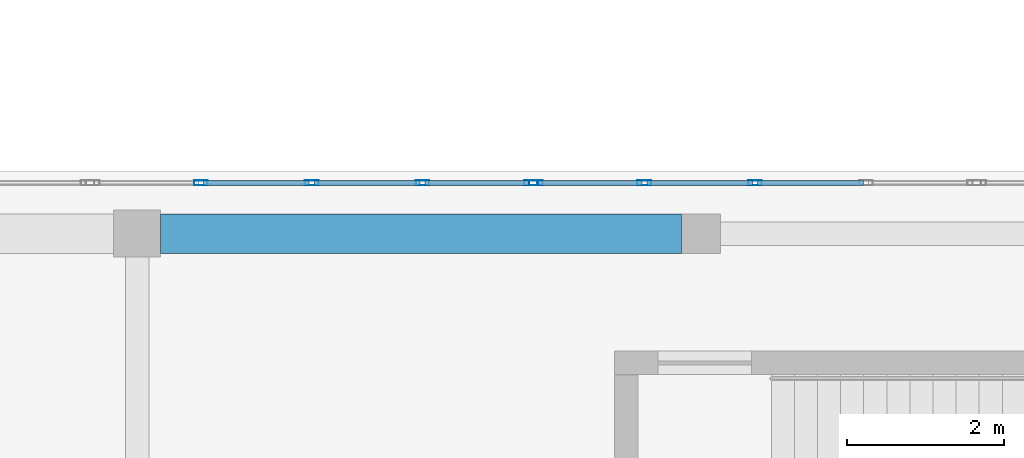
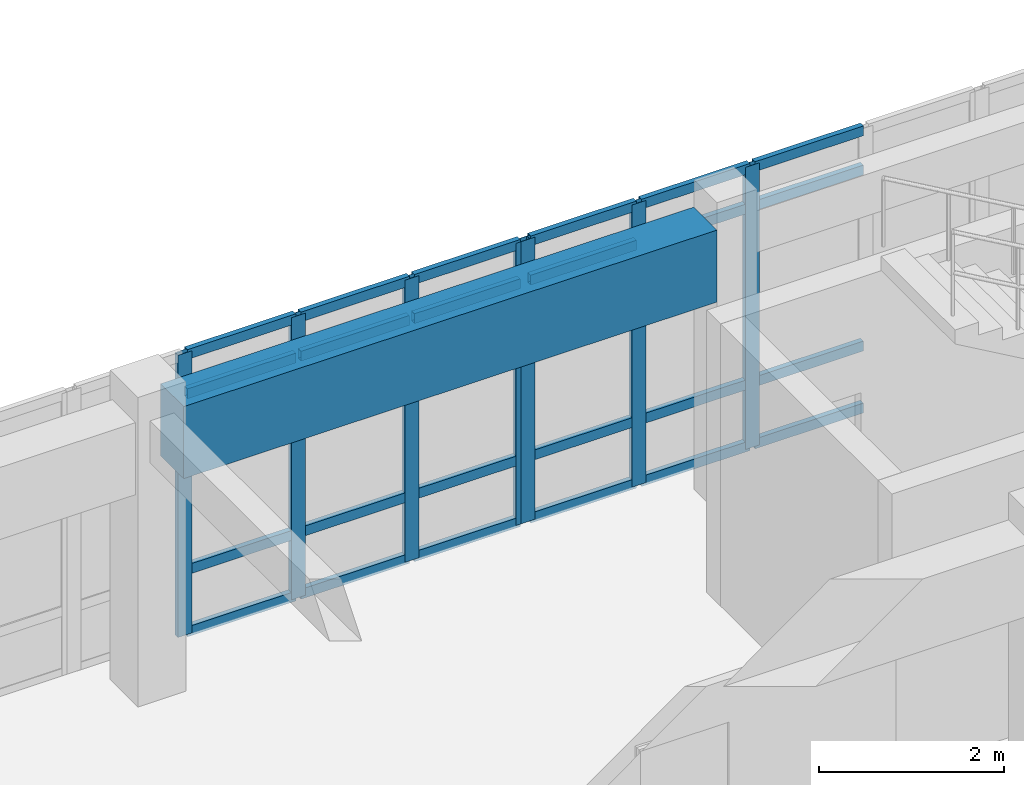
# One storey, part 11 of 52: 31 members, 1 beam, 2 elements without a shape of their own.
"""IFC4 building model written with IfcOpenShell, lengths in metres."""

from ifc_helpers import new_model, si_unit, direction, frame, origin, origin_2d, place, context, subcontext, project, spatial, rectangle, hollow_rectangle, extrude, material, layer, layer_set, material_profile, profile_set, type_object, element, aggregate, save


model = new_model("IFC4")

# Units and contexts
model_context = context("Model", 3, precision=1e-05, world=origin(), true_north=direction((0.0, 1.0)))
body_context = subcontext(model_context, "Body", "Model", "MODEL_VIEW")
ifc_project = project(units=[si_unit("LENGTHUNIT", "METRE"), si_unit("AREAUNIT", "SQUARE_METRE"), si_unit("VOLUMEUNIT", "CUBIC_METRE"), si_unit("PLANEANGLEUNIT", "RADIAN"), si_unit("MASSUNIT", "GRAM", prefix="KILO")], contexts=[model_context])

# Site, building, storey
site_placement = place(None, origin())
site = spatial("IfcSite", under=ifc_project, at=site_placement, CompositionType="ELEMENT")
building_placement = place(site_placement, origin())
building = spatial("IfcBuilding", under=site, at=building_placement, Name="Valcora Specialist Clinic", CompositionType="ELEMENT")
storey_placement = place(building_placement, frame((0.0, 0.0, 17.679931640625)))
storey = spatial("IfcBuildingStorey", under=building, at=storey_placement, Name="L04", CompositionType="ELEMENT", Elevation=17.679931640625)

# Beam
ifc_material_1 = material(Name="Concrete C40/50", Category="concrete")
ifc_material_profile_1 = material_profile(ifc_material_1, rectangle(XDim=0.5, YDim=0.949951171875, at=origin_2d()), Name="RC-BM-500X950")
ifc_profile_set_1 = profile_set([ifc_material_profile_1], Name="Concrete C40/50")
beam_type = type_object("IfcBeamType", Name="TY-BM-TR500X950", PredefinedType="BEAM", material=ifc_profile_set_1)
beam_placement = place(storey_placement, frame((23.699951171875, 22.0, 3.2451171875), z_axis=(1.0, 0.0, 0.0), x_axis=(0.0, 1.0, 0.0)))
element("IfcBeam", 1, at=beam_placement, inside=storey, type_object=beam_type, Name="Beam BM-L04-1092", PredefinedType="BEAM", context=body_context, shape_type="SweptSolid", body=[
    extrude(rectangle(XDim=0.5, YDim=0.949951171875, at=origin_2d()), origin(), (0.0, 0.0, 1.0), 6.650146484375),
])

# Curtain wall, members
ifc_material_2 = material(Name="Anodized Bronze Aluminium 6063-T6", Category="aluminium")
ifc_layer = layer(ifc_material_2, 0.175048828125)
ifc_layer_set = layer_set([ifc_layer], Name="Anodized Bronze Aluminium 6063-T6")
curtain_wall_type = type_object("IfcCurtainWallType", Name="TY-CW-V5F15", PredefinedType="NOTDEFINED", material=ifc_layer_set)
curtain_wall_1_placement = place(storey_placement, origin())
curtain_wall_1 = element("IfcCurtainWall", 2, at=curtain_wall_1_placement, inside=storey, type_object=curtain_wall_type, Name="Curtain wall CW-L04-171", PredefinedType="NOTDEFINED")
ifc_material_profile_2 = material_profile(ifc_material_2, hollow_rectangle(XDim=0.06494140625, YDim=0.175048828125, WallThickness=0.00390625, at=origin_2d()), Name="AL-MUL-65X175")
ifc_profile_set_2 = profile_set([ifc_material_profile_2], Name="Anodized Bronze Aluminium 6063-T6")
member_type_1 = type_object("IfcMemberType", Name="TY-CWM-65X175", PredefinedType="MULLION", material=ifc_profile_set_2)
member_1_placement = place(storey_placement, frame((24.215576171875, 22.64990234375, 0.0), z_axis=(0.0, 0.0, 1.0), x_axis=(0.0, 1.0, 0.0)))
member_1 = element("IfcMember", 3, at=member_1_placement, type_object=member_type_1, Name="CW-V5F-15 mullion 2", PredefinedType="MULLION", context=body_context, shape_type="SweptSolid", body=[
    extrude(hollow_rectangle(XDim=0.06494140625, YDim=0.175048828125, WallThickness=0.00390625, at=origin_2d()), origin(), (0.0, 0.0, 1.0), 3.719970703125),
])
member_2_placement = place(storey_placement, frame((25.63134765625, 22.64990234375, 0.0), z_axis=(0.0, 0.0, 1.0), x_axis=(0.0, 1.0, 0.0)))
member_2 = element("IfcMember", 4, at=member_2_placement, type_object=member_type_1, Name="CW-V5F-15 mullion 3", PredefinedType="MULLION", context=body_context, shape_type="SweptSolid", body=[
    extrude(hollow_rectangle(XDim=0.06494140625, YDim=0.175048828125, WallThickness=0.00390625, at=origin_2d()), origin(), (0.0, 0.0, 1.0), 3.719970703125),
])
member_3_placement = place(storey_placement, frame((27.046875, 22.64990234375, 0.0), z_axis=(0.0, 0.0, 1.0), x_axis=(0.0, 1.0, 0.0)))
member_3 = element("IfcMember", 5, at=member_3_placement, type_object=member_type_1, Name="CW-V5F-15 mullion 4", PredefinedType="MULLION", context=body_context, shape_type="SweptSolid", body=[
    extrude(hollow_rectangle(XDim=0.06494140625, YDim=0.175048828125, WallThickness=0.00390625, at=origin_2d()), origin(), (0.0, 0.0, 1.0), 3.719970703125),
])
member_4_placement = place(storey_placement, frame((28.429931640625, 22.64990234375, 0.0), z_axis=(0.0, 0.0, 1.0), x_axis=(0.0, 1.0, 0.0)))
member_4 = element("IfcMember", 6, at=member_4_placement, type_object=member_type_1, Name="CW-V5F-15 mullion 5", PredefinedType="MULLION", context=body_context, shape_type="SweptSolid", body=[
    extrude(hollow_rectangle(XDim=0.06494140625, YDim=0.175048828125, WallThickness=0.00390625, at=origin_2d()), origin(), (0.0, 0.0, 1.0), 3.719970703125),
])

curtain_wall_2_placement = place(storey_placement, origin())
curtain_wall_2 = element("IfcCurtainWall", 7, at=curtain_wall_2_placement, inside=storey, type_object=curtain_wall_type, Name="Curtain wall CW-L04-172", PredefinedType="NOTDEFINED")
member_5_placement = place(storey_placement, frame((28.4951171875, 22.64990234375, 0.0), z_axis=(0.0, 0.0, 1.0), x_axis=(0.0, 1.0, 0.0)))
member_5 = element("IfcMember", 8, at=member_5_placement, type_object=member_type_1, Name="CW-V5F-15 mullion 1", PredefinedType="MULLION", context=body_context, shape_type="SweptSolid", body=[
    extrude(hollow_rectangle(XDim=0.06494140625, YDim=0.175048828125, WallThickness=0.00390625, at=origin_2d()), origin(), (0.0, 0.0, 1.0), 3.719970703125),
])
member_6_placement = place(storey_placement, frame((29.878173828125, 22.64990234375, 0.0), z_axis=(0.0, 0.0, 1.0), x_axis=(0.0, 1.0, 0.0)))
member_6 = element("IfcMember", 9, at=member_6_placement, type_object=member_type_1, Name="CW-V5F-15 mullion 2", PredefinedType="MULLION", context=body_context, shape_type="SweptSolid", body=[
    extrude(hollow_rectangle(XDim=0.06494140625, YDim=0.175048828125, WallThickness=0.00390625, at=origin_2d()), origin(), (0.0, 0.0, 1.0), 3.719970703125),
])
member_7_placement = place(storey_placement, frame((31.293701171875, 22.64990234375, 0.0), z_axis=(0.0, 0.0, 1.0), x_axis=(0.0, 1.0, 0.0)))
member_7 = element("IfcMember", 10, at=member_7_placement, type_object=member_type_1, Name="CW-V5F-15 mullion 3", PredefinedType="MULLION", context=body_context, shape_type="SweptSolid", body=[
    extrude(hollow_rectangle(XDim=0.06494140625, YDim=0.175048828125, WallThickness=0.00390625, at=origin_2d()), origin(), (0.0, 0.0, 1.0), 3.719970703125),
])

# Member
ifc_material_profile_3 = material_profile(ifc_material_2, hollow_rectangle(XDim=0.06494140625, YDim=0.1298828125, WallThickness=0.00390625, at=origin_2d()), Name="AL-TRN-65X130")
ifc_profile_set_3 = profile_set([ifc_material_profile_3], Name="Anodized Bronze Aluminium 6063-T6")
member_type_2 = type_object("IfcMemberType", Name="TY-CWT-65X130", PredefinedType="USERDEFINED", material=ifc_profile_set_3)
member_8_placement = place(storey_placement, frame((24.248046875, 22.64990234375, 0.032470703125), z_axis=(1.0, 0.0, 0.0), x_axis=(0.0, 1.0, 0.0)))
member_8 = element("IfcMember", 11, at=member_8_placement, type_object=member_type_2, Name="CW-V5F-15 transom 2.1", ObjectType="TRANSOM", PredefinedType="USERDEFINED", context=body_context, shape_type="SweptSolid", body=[
    extrude(hollow_rectangle(XDim=0.06494140625, YDim=0.1298828125, WallThickness=0.00390625, at=origin_2d()), origin(), (0.0, 0.0, 1.0), 1.3505859375),
])

member_9_placement = place(storey_placement, frame((24.248046875, 22.64990234375, 0.85009765625), z_axis=(1.0, 0.0, 0.0), x_axis=(0.0, 1.0, 0.0)))
member_9 = element("IfcMember", 12, at=member_9_placement, type_object=member_type_2, Name="CW-V5F-15 transom 2.2", ObjectType="TRANSOM", PredefinedType="USERDEFINED", context=body_context, shape_type="SweptSolid", body=[
    extrude(hollow_rectangle(XDim=0.06494140625, YDim=0.1298828125, WallThickness=0.00390625, at=origin_2d()), origin(), (0.0, 0.0, 1.0), 1.3505859375),
])

member_10_placement = place(storey_placement, frame((24.248046875, 22.64990234375, 3.170166015625), z_axis=(1.0, 0.0, 0.0), x_axis=(0.0, 1.0, 0.0)))
member_10 = element("IfcMember", 13, at=member_10_placement, type_object=member_type_2, Name="CW-V5F-15 transom 2.3", ObjectType="TRANSOM", PredefinedType="USERDEFINED", context=body_context, shape_type="SweptSolid", body=[
    extrude(hollow_rectangle(XDim=0.06494140625, YDim=0.1298828125, WallThickness=0.00390625, at=origin_2d()), origin(), (0.0, 0.0, 1.0), 1.3505859375),
])

member_11_placement = place(storey_placement, frame((24.248046875, 22.64990234375, 3.6875), z_axis=(1.0, 0.0, 0.0), x_axis=(0.0, 1.0, 0.0)))
member_11 = element("IfcMember", 14, at=member_11_placement, type_object=member_type_2, Name="CW-V5F-15 transom 2.4", ObjectType="TRANSOM", PredefinedType="USERDEFINED", context=body_context, shape_type="SweptSolid", body=[
    extrude(hollow_rectangle(XDim=0.06494140625, YDim=0.1298828125, WallThickness=0.00390625, at=origin_2d()), origin(), (0.0, 0.0, 1.0), 1.3505859375),
])

member_12_placement = place(storey_placement, frame((25.663818359375, 22.64990234375, 0.032470703125), z_axis=(1.0, 0.0, 0.0), x_axis=(0.0, 1.0, 0.0)))
member_12 = element("IfcMember", 15, at=member_12_placement, type_object=member_type_2, Name="CW-V5F-15 transom 3.1", ObjectType="TRANSOM", PredefinedType="USERDEFINED", context=body_context, shape_type="SweptSolid", body=[
    extrude(hollow_rectangle(XDim=0.06494140625, YDim=0.1298828125, WallThickness=0.00390625, at=origin_2d()), origin(), (0.0, 0.0, 1.0), 1.3505859375),
])

member_13_placement = place(storey_placement, frame((25.663818359375, 22.64990234375, 0.85009765625), z_axis=(1.0, 0.0, 0.0), x_axis=(0.0, 1.0, 0.0)))
member_13 = element("IfcMember", 16, at=member_13_placement, type_object=member_type_2, Name="CW-V5F-15 transom 3.2", ObjectType="TRANSOM", PredefinedType="USERDEFINED", context=body_context, shape_type="SweptSolid", body=[
    extrude(hollow_rectangle(XDim=0.06494140625, YDim=0.1298828125, WallThickness=0.00390625, at=origin_2d()), origin(), (0.0, 0.0, 1.0), 1.3505859375),
])

member_14_placement = place(storey_placement, frame((25.663818359375, 22.64990234375, 3.170166015625), z_axis=(1.0, 0.0, 0.0), x_axis=(0.0, 1.0, 0.0)))
member_14 = element("IfcMember", 17, at=member_14_placement, type_object=member_type_2, Name="CW-V5F-15 transom 3.3", ObjectType="TRANSOM", PredefinedType="USERDEFINED", context=body_context, shape_type="SweptSolid", body=[
    extrude(hollow_rectangle(XDim=0.06494140625, YDim=0.1298828125, WallThickness=0.00390625, at=origin_2d()), origin(), (0.0, 0.0, 1.0), 1.3505859375),
])

member_15_placement = place(storey_placement, frame((25.663818359375, 22.64990234375, 3.6875), z_axis=(1.0, 0.0, 0.0), x_axis=(0.0, 1.0, 0.0)))
member_15 = element("IfcMember", 18, at=member_15_placement, type_object=member_type_2, Name="CW-V5F-15 transom 3.4", ObjectType="TRANSOM", PredefinedType="USERDEFINED", context=body_context, shape_type="SweptSolid", body=[
    extrude(hollow_rectangle(XDim=0.06494140625, YDim=0.1298828125, WallThickness=0.00390625, at=origin_2d()), origin(), (0.0, 0.0, 1.0), 1.3505859375),
])

member_16_placement = place(storey_placement, frame((27.079345703125, 22.64990234375, 0.032470703125), z_axis=(1.0, 0.0, 0.0), x_axis=(0.0, 1.0, 0.0)))
member_16 = element("IfcMember", 19, at=member_16_placement, type_object=member_type_2, Name="CW-V5F-15 transom 4.1", ObjectType="TRANSOM", PredefinedType="USERDEFINED", context=body_context, shape_type="SweptSolid", body=[
    extrude(hollow_rectangle(XDim=0.06494140625, YDim=0.1298828125, WallThickness=0.00390625, at=origin_2d()), origin(), (0.0, 0.0, 1.0), 1.318115234375),
])

member_17_placement = place(storey_placement, frame((27.079345703125, 22.64990234375, 0.85009765625), z_axis=(1.0, 0.0, 0.0), x_axis=(0.0, 1.0, 0.0)))
member_17 = element("IfcMember", 20, at=member_17_placement, type_object=member_type_2, Name="CW-V5F-15 transom 4.2", ObjectType="TRANSOM", PredefinedType="USERDEFINED", context=body_context, shape_type="SweptSolid", body=[
    extrude(hollow_rectangle(XDim=0.06494140625, YDim=0.1298828125, WallThickness=0.00390625, at=origin_2d()), origin(), (0.0, 0.0, 1.0), 1.318115234375),
])

member_18_placement = place(storey_placement, frame((27.079345703125, 22.64990234375, 3.170166015625), z_axis=(1.0, 0.0, 0.0), x_axis=(0.0, 1.0, 0.0)))
member_18 = element("IfcMember", 21, at=member_18_placement, type_object=member_type_2, Name="CW-V5F-15 transom 4.3", ObjectType="TRANSOM", PredefinedType="USERDEFINED", context=body_context, shape_type="SweptSolid", body=[
    extrude(hollow_rectangle(XDim=0.06494140625, YDim=0.1298828125, WallThickness=0.00390625, at=origin_2d()), origin(), (0.0, 0.0, 1.0), 1.318115234375),
])

member_19_placement = place(storey_placement, frame((27.079345703125, 22.64990234375, 3.6875), z_axis=(1.0, 0.0, 0.0), x_axis=(0.0, 1.0, 0.0)))
member_19 = element("IfcMember", 22, at=member_19_placement, type_object=member_type_2, Name="CW-V5F-15 transom 4.4", ObjectType="TRANSOM", PredefinedType="USERDEFINED", context=body_context, shape_type="SweptSolid", body=[
    extrude(hollow_rectangle(XDim=0.06494140625, YDim=0.1298828125, WallThickness=0.00390625, at=origin_2d()), origin(), (0.0, 0.0, 1.0), 1.318115234375),
])

aggregate(curtain_wall_1, [member_1, member_2, member_3, member_4, member_8, member_9, member_10, member_11, member_12, member_13, member_14, member_15, member_16, member_17, member_18, member_19])

member_20_placement = place(storey_placement, frame((28.527587890625, 22.64990234375, 0.032470703125), z_axis=(1.0, 0.0, 0.0), x_axis=(0.0, 1.0, 0.0)))
member_20 = element("IfcMember", 23, at=member_20_placement, type_object=member_type_2, Name="CW-V5F-15 transom 1.1", ObjectType="TRANSOM", PredefinedType="USERDEFINED", context=body_context, shape_type="SweptSolid", body=[
    extrude(hollow_rectangle(XDim=0.06494140625, YDim=0.1298828125, WallThickness=0.00390625, at=origin_2d()), origin(), (0.0, 0.0, 1.0), 1.318115234375),
])

member_21_placement = place(storey_placement, frame((28.527587890625, 22.64990234375, 0.85009765625), z_axis=(1.0, 0.0, 0.0), x_axis=(0.0, 1.0, 0.0)))
member_21 = element("IfcMember", 24, at=member_21_placement, type_object=member_type_2, Name="CW-V5F-15 transom 1.2", ObjectType="TRANSOM", PredefinedType="USERDEFINED", context=body_context, shape_type="SweptSolid", body=[
    extrude(hollow_rectangle(XDim=0.06494140625, YDim=0.1298828125, WallThickness=0.00390625, at=origin_2d()), origin(), (0.0, 0.0, 1.0), 1.318115234375),
])

member_22_placement = place(storey_placement, frame((28.527587890625, 22.64990234375, 3.170166015625), z_axis=(1.0, 0.0, 0.0), x_axis=(0.0, 1.0, 0.0)))
member_22 = element("IfcMember", 25, at=member_22_placement, type_object=member_type_2, Name="CW-V5F-15 transom 1.3", ObjectType="TRANSOM", PredefinedType="USERDEFINED", context=body_context, shape_type="SweptSolid", body=[
    extrude(hollow_rectangle(XDim=0.06494140625, YDim=0.1298828125, WallThickness=0.00390625, at=origin_2d()), origin(), (0.0, 0.0, 1.0), 1.318115234375),
])

member_23_placement = place(storey_placement, frame((28.527587890625, 22.64990234375, 3.6875), z_axis=(1.0, 0.0, 0.0), x_axis=(0.0, 1.0, 0.0)))
member_23 = element("IfcMember", 26, at=member_23_placement, type_object=member_type_2, Name="CW-V5F-15 transom 1.4", ObjectType="TRANSOM", PredefinedType="USERDEFINED", context=body_context, shape_type="SweptSolid", body=[
    extrude(hollow_rectangle(XDim=0.06494140625, YDim=0.1298828125, WallThickness=0.00390625, at=origin_2d()), origin(), (0.0, 0.0, 1.0), 1.318115234375),
])

member_24_placement = place(storey_placement, frame((29.91064453125, 22.64990234375, 0.032470703125), z_axis=(1.0, 0.0, 0.0), x_axis=(0.0, 1.0, 0.0)))
member_24 = element("IfcMember", 27, at=member_24_placement, type_object=member_type_2, Name="CW-V5F-15 transom 2.1", ObjectType="TRANSOM", PredefinedType="USERDEFINED", context=body_context, shape_type="SweptSolid", body=[
    extrude(hollow_rectangle(XDim=0.06494140625, YDim=0.1298828125, WallThickness=0.00390625, at=origin_2d()), origin(), (0.0, 0.0, 1.0), 1.3505859375),
])

member_25_placement = place(storey_placement, frame((29.91064453125, 22.64990234375, 0.85009765625), z_axis=(1.0, 0.0, 0.0), x_axis=(0.0, 1.0, 0.0)))
member_25 = element("IfcMember", 28, at=member_25_placement, type_object=member_type_2, Name="CW-V5F-15 transom 2.2", ObjectType="TRANSOM", PredefinedType="USERDEFINED", context=body_context, shape_type="SweptSolid", body=[
    extrude(hollow_rectangle(XDim=0.06494140625, YDim=0.1298828125, WallThickness=0.00390625, at=origin_2d()), origin(), (0.0, 0.0, 1.0), 1.3505859375),
])

member_26_placement = place(storey_placement, frame((29.91064453125, 22.64990234375, 3.170166015625), z_axis=(1.0, 0.0, 0.0), x_axis=(0.0, 1.0, 0.0)))
member_26 = element("IfcMember", 29, at=member_26_placement, type_object=member_type_2, Name="CW-V5F-15 transom 2.3", ObjectType="TRANSOM", PredefinedType="USERDEFINED", context=body_context, shape_type="SweptSolid", body=[
    extrude(hollow_rectangle(XDim=0.06494140625, YDim=0.1298828125, WallThickness=0.00390625, at=origin_2d()), origin(), (0.0, 0.0, 1.0), 1.3505859375),
])

member_27_placement = place(storey_placement, frame((29.91064453125, 22.64990234375, 3.6875), z_axis=(1.0, 0.0, 0.0), x_axis=(0.0, 1.0, 0.0)))
member_27 = element("IfcMember", 30, at=member_27_placement, type_object=member_type_2, Name="CW-V5F-15 transom 2.4", ObjectType="TRANSOM", PredefinedType="USERDEFINED", context=body_context, shape_type="SweptSolid", body=[
    extrude(hollow_rectangle(XDim=0.06494140625, YDim=0.1298828125, WallThickness=0.00390625, at=origin_2d()), origin(), (0.0, 0.0, 1.0), 1.3505859375),
])

member_28_placement = place(storey_placement, frame((31.326171875, 22.64990234375, 0.032470703125), z_axis=(1.0, 0.0, 0.0), x_axis=(0.0, 1.0, 0.0)))
member_28 = element("IfcMember", 31, at=member_28_placement, type_object=member_type_2, Name="CW-V5F-15 transom 3.1", ObjectType="TRANSOM", PredefinedType="USERDEFINED", context=body_context, shape_type="SweptSolid", body=[
    extrude(hollow_rectangle(XDim=0.06494140625, YDim=0.1298828125, WallThickness=0.00390625, at=origin_2d()), origin(), (0.0, 0.0, 1.0), 1.3505859375),
])

member_29_placement = place(storey_placement, frame((31.326171875, 22.64990234375, 0.85009765625), z_axis=(1.0, 0.0, 0.0), x_axis=(0.0, 1.0, 0.0)))
member_29 = element("IfcMember", 32, at=member_29_placement, type_object=member_type_2, Name="CW-V5F-15 transom 3.2", ObjectType="TRANSOM", PredefinedType="USERDEFINED", context=body_context, shape_type="SweptSolid", body=[
    extrude(hollow_rectangle(XDim=0.06494140625, YDim=0.1298828125, WallThickness=0.00390625, at=origin_2d()), origin(), (0.0, 0.0, 1.0), 1.3505859375),
])

member_30_placement = place(storey_placement, frame((31.326171875, 22.64990234375, 3.170166015625), z_axis=(1.0, 0.0, 0.0), x_axis=(0.0, 1.0, 0.0)))
member_30 = element("IfcMember", 33, at=member_30_placement, type_object=member_type_2, Name="CW-V5F-15 transom 3.3", ObjectType="TRANSOM", PredefinedType="USERDEFINED", context=body_context, shape_type="SweptSolid", body=[
    extrude(hollow_rectangle(XDim=0.06494140625, YDim=0.1298828125, WallThickness=0.00390625, at=origin_2d()), origin(), (0.0, 0.0, 1.0), 1.3505859375),
])

member_31_placement = place(storey_placement, frame((31.326171875, 22.64990234375, 3.6875), z_axis=(1.0, 0.0, 0.0), x_axis=(0.0, 1.0, 0.0)))
member_31 = element("IfcMember", 34, at=member_31_placement, type_object=member_type_2, Name="CW-V5F-15 transom 3.4", ObjectType="TRANSOM", PredefinedType="USERDEFINED", context=body_context, shape_type="SweptSolid", body=[
    extrude(hollow_rectangle(XDim=0.06494140625, YDim=0.1298828125, WallThickness=0.00390625, at=origin_2d()), origin(), (0.0, 0.0, 1.0), 1.3505859375),
])

aggregate(curtain_wall_2, [member_5, member_6, member_7, member_20, member_21, member_22, member_23, member_24, member_25, member_26, member_27, member_28, member_29, member_30, member_31])

save(model, "model.ifc")
